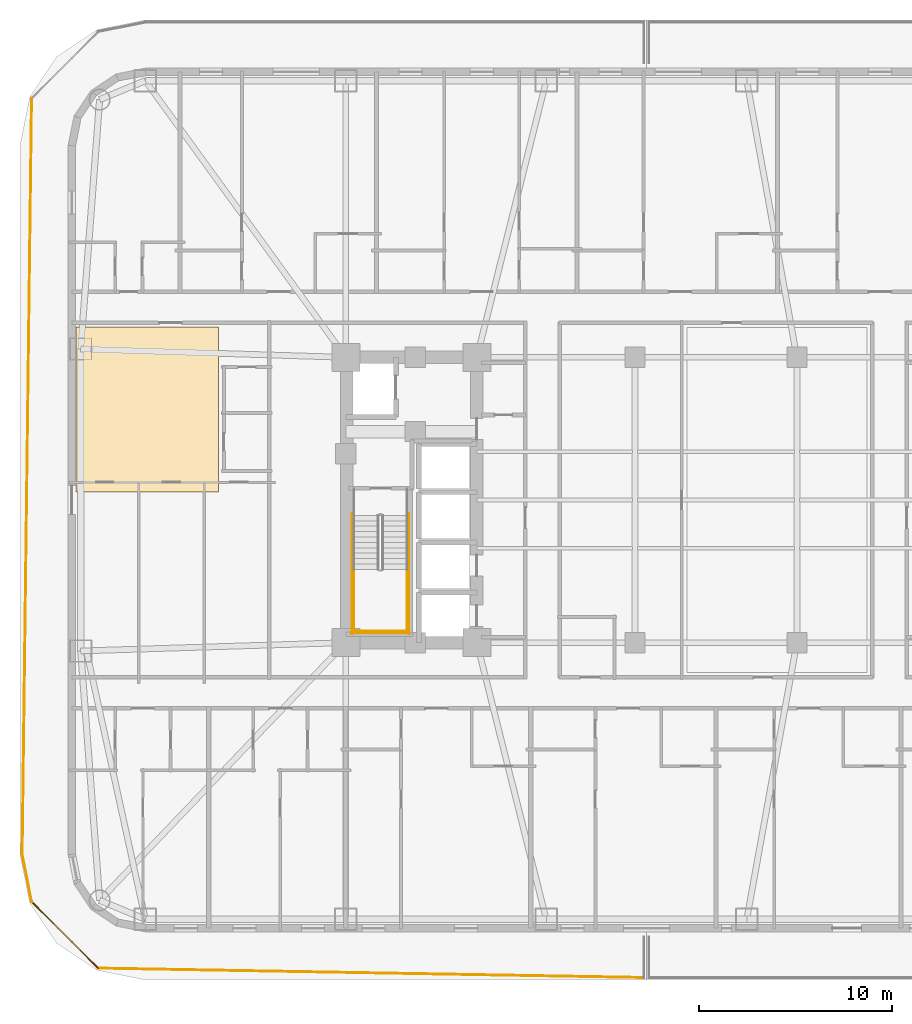
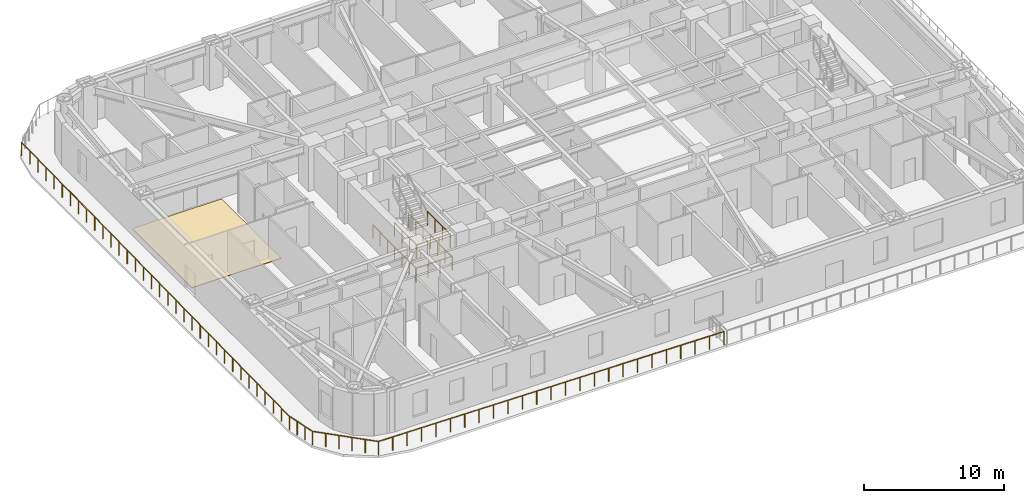
# One storey, part 10 of 14: 10 railings, 1 covering.
"""IFC4 building model written with IfcOpenShell, lengths in metres."""

from ifc_helpers import new_model, si_unit, direction, frame, origin, origin_2d, place, context, subcontext, project, spatial, polyline, circle, outline, extrude, material, layer, layer_set, type_object, element, save


model = new_model("IFC4")

# Units and contexts
model_context = context("Model", 3, precision=1e-05, world=origin(), true_north=direction((0.0, 1.0)))
body_context = subcontext(model_context, "Body", "Model", "MODEL_VIEW")
ifc_project = project(units=[si_unit("LENGTHUNIT", "METRE"), si_unit("AREAUNIT", "SQUARE_METRE"), si_unit("VOLUMEUNIT", "CUBIC_METRE"), si_unit("PLANEANGLEUNIT", "RADIAN"), si_unit("MASSUNIT", "GRAM", prefix="KILO")], contexts=[model_context])

# Site, building, storey
site_placement = place(None, origin())
site = spatial("IfcSite", under=ifc_project, at=site_placement, CompositionType="ELEMENT")
building_placement = place(site_placement, origin())
building = spatial("IfcBuilding", under=site, at=building_placement, Name="Voryun Gate Residences", CompositionType="ELEMENT")
storey_placement = place(building_placement, frame((0.0, 0.0, 53.300048828125)))
storey = spatial("IfcBuildingStorey", under=building, at=storey_placement, Name="L12", CompositionType="ELEMENT", Elevation=53.300048828125)

# Covering
ifc_material_1 = material(Name="Architectural oak flooring")
ifc_layer = layer(ifc_material_1, 0.044921875, Name="COV_FLOOR_ONDOL_OAK")
ifc_layer_set = layer_set([ifc_layer], Name="Architectural oak flooring")
covering_type = type_object("IfcCoveringType", Name="COV_FLOOR_ONDOL_OAK", PredefinedType="FLOORING", material=ifc_layer_set)
covering_placement = place(storey_placement, origin())
element("IfcCovering", 1, at=covering_placement, inside=storey, type_object=covering_type, Name="Ondol oak floor FLR-L12-01", PredefinedType="FLOORING", context=body_context, shape_type="SweptSolid", body=[
    extrude(outline(polyline([(-25.800048828125, 8.969970703125), (-25.800048828125, 0.419921875), (-33.197509765625, 0.419921875), (-33.197509765625, 8.969970703125), (-25.800048828125, 8.969970703125)])), origin(), (0.0, 0.0, 1.0), 0.044921875),
])

# Railings
ifc_material_2 = material(Name="Anodised aluminium", Category="aluminium")
railing_type_1 = type_object("IfcRailingType", Name="RAIL_BALCONY_GUARD_1200", PredefinedType="GUARDRAIL", material=ifc_material_2)
railing_1_placement = place(storey_placement, frame((-32.04052734375, -24.292236328125, 0.0)))
element("IfcRailing", 2, at=railing_1_placement, inside=storey, type_object=railing_type_1, Name="Terrace guard RL-L12-P1L1-01", PredefinedType="GUARDRAIL", context=body_context, shape_type="SweptSolid", body=[
    extrude(circle(Radius=0.02392578125, at=origin_2d()), frame((0.0, 0.0, 1.17578125), z_axis=(-0.707106781187, 0.707106781187, 0.0), x_axis=(-0.707106781187, -0.707106781187, 0.0)), (0.0, 0.0, 1.0), 4.88134765625),
    extrude(circle(Radius=0.02099609375, at=origin_2d()), origin(), (0.0, 0.0, 1.0), 1.15185546875),
    extrude(circle(Radius=0.02099609375, at=origin_2d()), frame((-0.6904296875, 0.6904296875, 0.0)), (0.0, 0.0, 1.0), 1.15185546875),
    extrude(circle(Radius=0.02099609375, at=origin_2d()), frame((-1.380615234375, 1.380615234375, 0.0)), (0.0, 0.0, 1.0), 1.15185546875),
    extrude(circle(Radius=0.02099609375, at=origin_2d()), frame((-2.071044921875, 2.071044921875, 0.0)), (0.0, 0.0, 1.0), 1.15185546875),
    extrude(circle(Radius=0.02099609375, at=origin_2d()), frame((-2.76123046875, 2.76123046875, 0.0)), (0.0, 0.0, 1.0), 1.15185546875),
    extrude(circle(Radius=0.02099609375, at=origin_2d()), frame((-3.45166015625, 3.45166015625, 0.0)), (0.0, 0.0, 1.0), 1.15185546875),
])
railing_2_placement = place(storey_placement, frame((-35.4921875, -20.840576171875, 0.0)))
element("IfcRailing", 3, at=railing_2_placement, inside=storey, type_object=railing_type_1, Name="Terrace guard RL-L12-P1L1-02", PredefinedType="GUARDRAIL", context=body_context, shape_type="SweptSolid", body=[
    extrude(circle(Radius=0.02392578125, at=origin_2d()), frame((0.0, 0.0, 1.17578125), z_axis=(-0.195083303106, 0.980786676525, 0.0), x_axis=(-0.980786676525, -0.195083303106, 0.0)), (0.0, 0.0, 1.0), 2.50048828125),
    extrude(circle(Radius=0.02099609375, at=origin_2d()), origin(), (0.0, 0.0, 1.0), 1.15185546875),
    extrude(circle(Radius=0.02099609375, at=origin_2d()), frame((-0.16259765625, 0.8173828125, 0.0)), (0.0, 0.0, 1.0), 1.15185546875),
    extrude(circle(Radius=0.02099609375, at=origin_2d()), frame((-0.3251953125, 1.635009765625, 0.0)), (0.0, 0.0, 1.0), 1.15185546875),
    extrude(circle(Radius=0.02099609375, at=origin_2d()), frame((-0.48779296875, 2.452392578125, 0.0)), (0.0, 0.0, 1.0), 1.15185546875),
])
railing_3_placement = place(storey_placement, frame((-35.97998046875, -18.38818359375, 0.0)))
element("IfcRailing", 4, at=railing_3_placement, inside=storey, type_object=railing_type_1, Name="Terrace guard RL-L12-P1L1-03", PredefinedType="GUARDRAIL", context=body_context, shape_type="SweptSolid", body=[
    extrude(circle(Radius=0.02392578125, at=origin_2d()), frame((0.0, 0.0, 1.17578125), z_axis=(0.012433614141, 0.999922699632, 0.0), x_axis=(-0.999922699632, 0.012433614141, 0.0)), (0.0, 0.0, 1.0), 39.231689453125),
    extrude(circle(Radius=0.02099609375, at=origin_2d()), origin(), (0.0, 0.0, 1.0), 1.15185546875),
    extrude(circle(Radius=0.02099609375, at=origin_2d()), frame((0.014892578125, 1.188720703125, 0.0)), (0.0, 0.0, 1.0), 1.15185546875),
    extrude(circle(Radius=0.02099609375, at=origin_2d()), frame((0.029541015625, 2.37744140625, 0.0)), (0.0, 0.0, 1.0), 1.15185546875),
    extrude(circle(Radius=0.02099609375, at=origin_2d()), frame((0.04443359375, 3.566162109375, 0.0)), (0.0, 0.0, 1.0), 1.15185546875),
    extrude(circle(Radius=0.02099609375, at=origin_2d()), frame((0.05908203125, 4.7548828125, 0.0)), (0.0, 0.0, 1.0), 1.15185546875),
    extrude(circle(Radius=0.02099609375, at=origin_2d()), frame((0.073974609375, 5.94384765625, 0.0)), (0.0, 0.0, 1.0), 1.15185546875),
    extrude(circle(Radius=0.02099609375, at=origin_2d()), frame((0.088623046875, 7.132568359375, 0.0)), (0.0, 0.0, 1.0), 1.15185546875),
    extrude(circle(Radius=0.02099609375, at=origin_2d()), frame((0.103515625, 8.3212890625, 0.0)), (0.0, 0.0, 1.0), 1.15185546875),
    extrude(circle(Radius=0.02099609375, at=origin_2d()), frame((0.1181640625, 9.510009765625, 0.0)), (0.0, 0.0, 1.0), 1.15185546875),
    extrude(circle(Radius=0.02099609375, at=origin_2d()), frame((0.133056640625, 10.69873046875, 0.0)), (0.0, 0.0, 1.0), 1.15185546875),
    extrude(circle(Radius=0.02099609375, at=origin_2d()), frame((0.147705078125, 11.887451171875, 0.0)), (0.0, 0.0, 1.0), 1.15185546875),
    extrude(circle(Radius=0.02099609375, at=origin_2d()), frame((0.16259765625, 13.076171875, 0.0)), (0.0, 0.0, 1.0), 1.15185546875),
    extrude(circle(Radius=0.02099609375, at=origin_2d()), frame((0.177490234375, 14.264892578125, 0.0)), (0.0, 0.0, 1.0), 1.15185546875),
    extrude(circle(Radius=0.02099609375, at=origin_2d()), frame((0.192138671875, 15.453857421875, 0.0)), (0.0, 0.0, 1.0), 1.15185546875),
    extrude(circle(Radius=0.02099609375, at=origin_2d()), frame((0.20703125, 16.642578125, 0.0)), (0.0, 0.0, 1.0), 1.15185546875),
    extrude(circle(Radius=0.02099609375, at=origin_2d()), frame((0.2216796875, 17.831298828125, 0.0)), (0.0, 0.0, 1.0), 1.15185546875),
    extrude(circle(Radius=0.02099609375, at=origin_2d()), frame((0.236572265625, 19.02001953125, 0.0)), (0.0, 0.0, 1.0), 1.15185546875),
    extrude(circle(Radius=0.02099609375, at=origin_2d()), frame((0.251220703125, 20.208740234375, 0.0)), (0.0, 0.0, 1.0), 1.15185546875),
    extrude(circle(Radius=0.02099609375, at=origin_2d()), frame((0.26611328125, 21.3974609375, 0.0)), (0.0, 0.0, 1.0), 1.15185546875),
    extrude(circle(Radius=0.02099609375, at=origin_2d()), frame((0.28076171875, 22.586181640625, 0.0)), (0.0, 0.0, 1.0), 1.15185546875),
    extrude(circle(Radius=0.02099609375, at=origin_2d()), frame((0.295654296875, 23.77490234375, 0.0)), (0.0, 0.0, 1.0), 1.15185546875),
    extrude(circle(Radius=0.02099609375, at=origin_2d()), frame((0.310302734375, 24.9638671875, 0.0)), (0.0, 0.0, 1.0), 1.15185546875),
    extrude(circle(Radius=0.02099609375, at=origin_2d()), frame((0.3251953125, 26.152587890625, 0.0)), (0.0, 0.0, 1.0), 1.15185546875),
    extrude(circle(Radius=0.02099609375, at=origin_2d()), frame((0.340087890625, 27.34130859375, 0.0)), (0.0, 0.0, 1.0), 1.15185546875),
    extrude(circle(Radius=0.02099609375, at=origin_2d()), frame((0.354736328125, 28.530029296875, 0.0)), (0.0, 0.0, 1.0), 1.15185546875),
    extrude(circle(Radius=0.02099609375, at=origin_2d()), frame((0.36962890625, 29.71875, 0.0)), (0.0, 0.0, 1.0), 1.15185546875),
    extrude(circle(Radius=0.02099609375, at=origin_2d()), frame((0.38427734375, 30.907470703125, 0.0)), (0.0, 0.0, 1.0), 1.15185546875),
    extrude(circle(Radius=0.02099609375, at=origin_2d()), frame((0.399169921875, 32.09619140625, 0.0)), (0.0, 0.0, 1.0), 1.15185546875),
    extrude(circle(Radius=0.02099609375, at=origin_2d()), frame((0.413818359375, 33.284912109375, 0.0)), (0.0, 0.0, 1.0), 1.15185546875),
    extrude(circle(Radius=0.02099609375, at=origin_2d()), frame((0.4287109375, 34.473876953125, 0.0)), (0.0, 0.0, 1.0), 1.15185546875),
    extrude(circle(Radius=0.02099609375, at=origin_2d()), frame((0.443359375, 35.66259765625, 0.0)), (0.0, 0.0, 1.0), 1.15185546875),
    extrude(circle(Radius=0.02099609375, at=origin_2d()), frame((0.458251953125, 36.851318359375, 0.0)), (0.0, 0.0, 1.0), 1.15185546875),
    extrude(circle(Radius=0.02099609375, at=origin_2d()), frame((0.472900390625, 38.0400390625, 0.0)), (0.0, 0.0, 1.0), 1.15185546875),
    extrude(circle(Radius=0.02099609375, at=origin_2d()), frame((0.48779296875, 39.228759765625, 0.0)), (0.0, 0.0, 1.0), 1.15185546875),
])
railing_4_placement = place(storey_placement, frame((-3.72998046875, -24.780029296875, 0.0)))
element("IfcRailing", 5, at=railing_4_placement, inside=storey, type_object=railing_type_1, Name="Terrace guard RL-L12-P1L2-02", PredefinedType="GUARDRAIL", context=body_context, shape_type="SweptSolid", body=[
    extrude(circle(Radius=0.02392578125, at=origin_2d()), frame((0.0, 0.0, 1.17578125), z_axis=(-0.999851595226, 0.017227522312, 0.0), x_axis=(-0.017227522312, -0.999851595226, 0.0)), (0.0, 0.0, 1.0), 28.314697265625),
    extrude(circle(Radius=0.02099609375, at=origin_2d()), origin(), (0.0, 0.0, 1.0), 1.15185546875),
    extrude(circle(Radius=0.02099609375, at=origin_2d()), frame((-1.1796875, 0.020263671875, 0.0)), (0.0, 0.0, 1.0), 1.15185546875),
    extrude(circle(Radius=0.02099609375, at=origin_2d()), frame((-2.359130859375, 0.04052734375, 0.0)), (0.0, 0.0, 1.0), 1.15185546875),
    extrude(circle(Radius=0.02099609375, at=origin_2d()), frame((-3.538818359375, 0.06103515625, 0.0)), (0.0, 0.0, 1.0), 1.15185546875),
    extrude(circle(Radius=0.02099609375, at=origin_2d()), frame((-4.718505859375, 0.081298828125, 0.0)), (0.0, 0.0, 1.0), 1.15185546875),
    extrude(circle(Radius=0.02099609375, at=origin_2d()), frame((-5.89794921875, 0.1015625, 0.0)), (0.0, 0.0, 1.0), 1.15185546875),
    extrude(circle(Radius=0.02099609375, at=origin_2d()), frame((-7.07763671875, 0.1220703125, 0.0)), (0.0, 0.0, 1.0), 1.15185546875),
    extrude(circle(Radius=0.02099609375, at=origin_2d()), frame((-8.25732421875, 0.142333984375, 0.0)), (0.0, 0.0, 1.0), 1.15185546875),
    extrude(circle(Radius=0.02099609375, at=origin_2d()), frame((-9.436767578125, 0.16259765625, 0.0)), (0.0, 0.0, 1.0), 1.15185546875),
    extrude(circle(Radius=0.02099609375, at=origin_2d()), frame((-10.616455078125, 0.182861328125, 0.0)), (0.0, 0.0, 1.0), 1.15185546875),
    extrude(circle(Radius=0.02099609375, at=origin_2d()), frame((-11.796142578125, 0.203125, 0.0)), (0.0, 0.0, 1.0), 1.15185546875),
    extrude(circle(Radius=0.02099609375, at=origin_2d()), frame((-12.9755859375, 0.2236328125, 0.0)), (0.0, 0.0, 1.0), 1.15185546875),
    extrude(circle(Radius=0.02099609375, at=origin_2d()), frame((-14.1552734375, 0.243896484375, 0.0)), (0.0, 0.0, 1.0), 1.15185546875),
    extrude(circle(Radius=0.02099609375, at=origin_2d()), frame((-15.3349609375, 0.26416015625, 0.0)), (0.0, 0.0, 1.0), 1.15185546875),
    extrude(circle(Radius=0.02099609375, at=origin_2d()), frame((-16.514404296875, 0.28466796875, 0.0)), (0.0, 0.0, 1.0), 1.15185546875),
    extrude(circle(Radius=0.02099609375, at=origin_2d()), frame((-17.694091796875, 0.304931640625, 0.0)), (0.0, 0.0, 1.0), 1.15185546875),
    extrude(circle(Radius=0.02099609375, at=origin_2d()), frame((-18.873779296875, 0.3251953125, 0.0)), (0.0, 0.0, 1.0), 1.15185546875),
    extrude(circle(Radius=0.02099609375, at=origin_2d()), frame((-20.05322265625, 0.345458984375, 0.0)), (0.0, 0.0, 1.0), 1.15185546875),
    extrude(circle(Radius=0.02099609375, at=origin_2d()), frame((-21.23291015625, 0.36572265625, 0.0)), (0.0, 0.0, 1.0), 1.15185546875),
    extrude(circle(Radius=0.02099609375, at=origin_2d()), frame((-22.41259765625, 0.38623046875, 0.0)), (0.0, 0.0, 1.0), 1.15185546875),
    extrude(circle(Radius=0.02099609375, at=origin_2d()), frame((-23.592041015625, 0.406494140625, 0.0)), (0.0, 0.0, 1.0), 1.15185546875),
    extrude(circle(Radius=0.02099609375, at=origin_2d()), frame((-24.771728515625, 0.4267578125, 0.0)), (0.0, 0.0, 1.0), 1.15185546875),
    extrude(circle(Radius=0.02099609375, at=origin_2d()), frame((-25.951416015625, 0.447265625, 0.0)), (0.0, 0.0, 1.0), 1.15185546875),
    extrude(circle(Radius=0.02099609375, at=origin_2d()), frame((-27.130859375, 0.467529296875, 0.0)), (0.0, 0.0, 1.0), 1.15185546875),
    extrude(circle(Radius=0.02099609375, at=origin_2d()), frame((-28.310546875, 0.48779296875, 0.0)), (0.0, 0.0, 1.0), 1.15185546875),
])
ifc_material_3 = material(Name="Painted steel", Category="steel")
railing_type_2 = type_object("IfcRailingType", Name="RAIL_STAIR_GUARD_1200", PredefinedType="GUARDRAIL", material=ifc_material_3)
for number, where, name in (
    (6, (-18.77490234375, -3.60009765625, 1.949951171875), "L12 ST-W1 stair guard 3"),
    (7, (-16.02490234375, -3.60009765625, 1.949951171875), "L12 ST-W1 stair guard 4"),
):
    element("IfcRailing", number, at=place(storey_placement, frame(where)), inside=storey, type_object=railing_type_2, Name=name, PredefinedType="GUARDRAIL", context=body_context, shape_type="SweptSolid", body=[
        extrude(circle(Radius=0.02392578125, at=origin_2d()), frame((0.0, 0.0, 1.17578125), z_axis=(0.0, -1.0, 0.0), x_axis=(1.0, 0.0, 0.0)), (0.0, 0.0, 1.0), 3.25),
        extrude(circle(Radius=0.02099609375, at=origin_2d()), origin(), (0.0, 0.0, 1.0), 1.15185546875),
        extrude(circle(Radius=0.02099609375, at=origin_2d()), frame((0.0, -1.083251953125, 0.0)), (0.0, 0.0, 1.0), 1.15185546875),
        extrude(circle(Radius=0.02099609375, at=origin_2d()), frame((0.0, -2.166748046875, 0.0)), (0.0, 0.0, 1.0), 1.15185546875),
        extrude(circle(Radius=0.02099609375, at=origin_2d()), frame((0.0, -3.25, 0.0)), (0.0, 0.0, 1.0), 1.15185546875),
    ])
railing_5_placement = place(storey_placement, frame((-18.824951171875, -6.800048828125, 1.949951171875)))
element("IfcRailing", 8, at=railing_5_placement, inside=storey, type_object=railing_type_2, Name="L12 ST-W1 stair guard 5", PredefinedType="GUARDRAIL", context=body_context, shape_type="SweptSolid", body=[
    extrude(circle(Radius=0.02392578125, at=origin_2d()), frame((0.0, 0.0, 1.17578125), z_axis=(1.0, 0.0, 0.0), x_axis=(0.0, 1.0, 0.0)), (0.0, 0.0, 1.0), 2.849853515625),
    extrude(circle(Radius=0.02099609375, at=origin_2d()), origin(), (0.0, 0.0, 1.0), 1.15185546875),
    extrude(circle(Radius=0.02099609375, at=origin_2d()), frame((0.949951171875, 0.0, 0.0)), (0.0, 0.0, 1.0), 1.15185546875),
    extrude(circle(Radius=0.02099609375, at=origin_2d()), frame((1.89990234375, 0.0, 0.0)), (0.0, 0.0, 1.0), 1.15185546875),
    extrude(circle(Radius=0.02099609375, at=origin_2d()), frame((2.849853515625, 0.0, 0.0)), (0.0, 0.0, 1.0), 1.15185546875),
])
for number, where, name in (
    (9, (-18.875, -0.699951171875, 0.0), "L12 ST-W1 stair guard 10"),
    (10, (-15.925048828125, -0.699951171875, 0.0), "L12 ST-W1 stair guard 11"),
):
    element("IfcRailing", number, at=place(storey_placement, frame(where)), inside=storey, type_object=railing_type_2, Name=name, PredefinedType="GUARDRAIL", context=body_context, shape_type="SweptSolid", body=[
        extrude(circle(Radius=0.02392578125, at=origin_2d()), frame((0.0, 0.0, 1.17578125), z_axis=(0.0, -1.0, 0.0), x_axis=(1.0, 0.0, 0.0)), (0.0, 0.0, 1.0), 6.25),
        extrude(circle(Radius=0.02099609375, at=origin_2d()), origin(), (0.0, 0.0, 1.0), 1.15185546875),
        extrude(circle(Radius=0.02099609375, at=origin_2d()), frame((0.0, -1.041748046875, 0.0)), (0.0, 0.0, 1.0), 1.15185546875),
        extrude(circle(Radius=0.02099609375, at=origin_2d()), frame((0.0, -2.083251953125, 0.0)), (0.0, 0.0, 1.0), 1.15185546875),
        extrude(circle(Radius=0.02099609375, at=origin_2d()), frame((0.0, -3.125, 0.0)), (0.0, 0.0, 1.0), 1.15185546875),
        extrude(circle(Radius=0.02099609375, at=origin_2d()), frame((0.0, -4.166748046875, 0.0)), (0.0, 0.0, 1.0), 1.15185546875),
        extrude(circle(Radius=0.02099609375, at=origin_2d()), frame((0.0, -5.208251953125, 0.0)), (0.0, 0.0, 1.0), 1.15185546875),
        extrude(circle(Radius=0.02099609375, at=origin_2d()), frame((0.0, -6.25, 0.0)), (0.0, 0.0, 1.0), 1.15185546875),
    ])
railing_6_placement = place(storey_placement, frame((-18.925048828125, -6.89990234375, 0.0)))
element("IfcRailing", 11, at=railing_6_placement, inside=storey, type_object=railing_type_2, Name="L12 ST-W1 stair guard 12", PredefinedType="GUARDRAIL", context=body_context, shape_type="SweptSolid", body=[
    extrude(circle(Radius=0.02392578125, at=origin_2d()), frame((0.0, 0.0, 1.17578125), z_axis=(1.0, 0.0, 0.0), x_axis=(0.0, 1.0, 0.0)), (0.0, 0.0, 1.0), 3.050048828125),
    extrude(circle(Radius=0.02099609375, at=origin_2d()), origin(), (0.0, 0.0, 1.0), 1.15185546875),
    extrude(circle(Radius=0.02099609375, at=origin_2d()), frame((1.0166015625, 0.0, 0.0)), (0.0, 0.0, 1.0), 1.15185546875),
    extrude(circle(Radius=0.02099609375, at=origin_2d()), frame((2.033447265625, 0.0, 0.0)), (0.0, 0.0, 1.0), 1.15185546875),
    extrude(circle(Radius=0.02099609375, at=origin_2d()), frame((3.050048828125, 0.0, 0.0)), (0.0, 0.0, 1.0), 1.15185546875),
])

save(model, "model.ifc")
